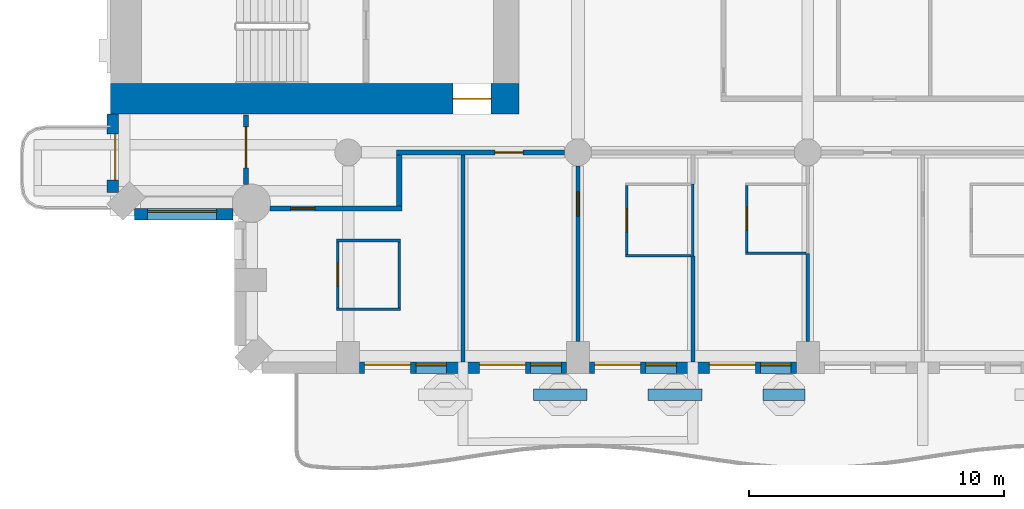
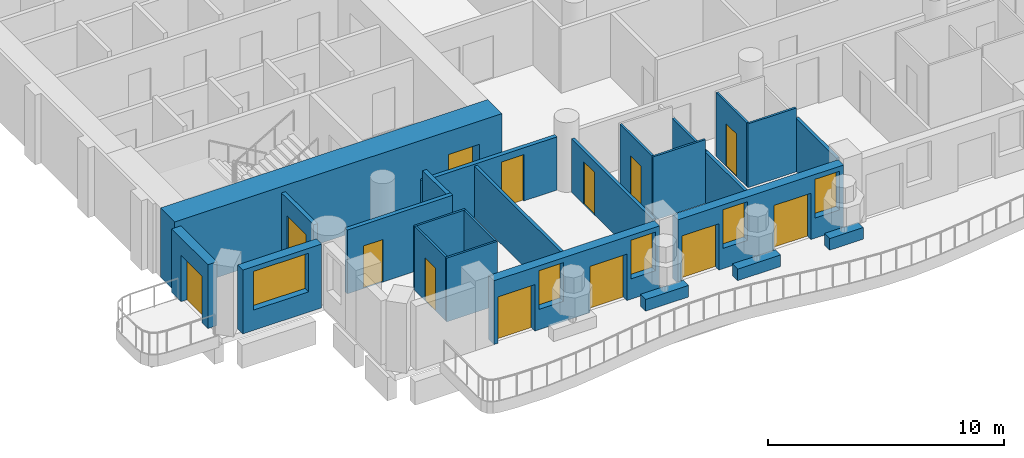
# One storey, part 3 of 20: 25 walls, 13 doors, 5 windows, 18 openings.
"""IFC4 building model written with IfcOpenShell, lengths in metres."""

from ifc_helpers import new_model, si_unit, direction, frame, frame_2d, origin, place, context, subcontext, project, spatial, rectangle, extrude, material, layer, layer_set, type_object, element, fill, save


model = new_model("IFC4")

# Units and contexts
model_context = context("Model", 3, precision=1e-05, world=origin(), true_north=direction((0.0, 1.0)))
body_context = subcontext(model_context, "Body", "Model", "MODEL_VIEW")
ifc_project = project(units=[si_unit("LENGTHUNIT", "METRE"), si_unit("AREAUNIT", "SQUARE_METRE"), si_unit("VOLUMEUNIT", "CUBIC_METRE"), si_unit("PLANEANGLEUNIT", "RADIAN"), si_unit("MASSUNIT", "GRAM", prefix="KILO")], contexts=[model_context])

# Site, building, storey
site_placement = place(None, origin())
site = spatial("IfcSite", under=ifc_project, at=site_placement, CompositionType="ELEMENT")
building_placement = place(site_placement, origin())
building = spatial("IfcBuilding", under=site, at=building_placement, Name="Cypress Arch Tower", CompositionType="ELEMENT")
storey_placement = place(building_placement, frame((0.0, 0.0, 116.699951171875)))
storey = spatial("IfcBuildingStorey", under=building, at=storey_placement, Name="L24", CompositionType="ELEMENT", Elevation=116.699951171875)

# Walls
ifc_material_1 = material(Name="Concrete C40/50, waterproofed", Category="concrete")
ifc_layer_1 = layer(ifc_material_1, 0.449951171875)
ifc_layer_set_1 = layer_set([ifc_layer_1], Name="Balcony planter wall PW450")
wall_type_1 = type_object("IfcWallType", Name="Balcony planter wall PW450", PredefinedType="SOLIDWALL", material=ifc_layer_set_1)
for number, where, z_axis, x_axis, name in (
    (1, (-13.449951171875, -27.0, 0.0), (0.0, 0.0, 1.0), (1.0, 0.0, 0.0), "Balcony planter wall L24-A03.2"),
    (2, (-8.949951171875, -27.0, 0.0), (0.0, 0.0, 1.0), (1.0, 0.0, 0.0), "Balcony planter wall L24-A03.3"),
):
    element("IfcWall", number, at=place(storey_placement, frame(where, z_axis=z_axis, x_axis=x_axis)), inside=storey, type_object=wall_type_1, Name=name, PredefinedType="SOLIDWALL", context=body_context, shape_type="SweptSolid", body=[
        extrude(rectangle(XDim=2.099853515625, YDim=0.449951171875, at=frame_2d((1.0498046875, 0.0))), origin(), (0.0, 0.0, 1.0), 0.60009765625),
    ])
wall_1_placement = place(storey_placement, frame((-4.449951171875, -27.0, 0.0), z_axis=(0.0, 0.0, 1.0), x_axis=(1.0, 0.0, 0.0)))
element("IfcWall", 3, at=wall_1_placement, inside=storey, type_object=wall_type_1, Name="Balcony planter wall L24-A03.4", PredefinedType="SOLIDWALL", context=body_context, shape_type="SweptSolid", body=[
    extrude(rectangle(XDim=1.64990234375, YDim=0.449951171875, at=frame_2d((0.824951171875, 0.0))), origin(), (0.0, 0.0, 1.0), 0.60009765625),
])

# Wall, opening, door
ifc_material_2 = material(Name="Brick (red buff blend)", Category="masonry")
ifc_layer_2 = layer(ifc_material_2, 0.449951171875)
ifc_layer_set_2 = layer_set([ifc_layer_2], Name="Brick pier and spandrel wall BW450")
wall_type_2 = type_object("IfcWallType", Name="Brick pier and spandrel wall BW450", PredefinedType="SOLIDWALL", material=ifc_layer_set_2)
wall_2_placement = place(storey_placement, frame((-29.925048828125, -16.0, 0.0), z_axis=(0.0, 0.0, 1.0), x_axis=(0.0, -1.0, 0.0)))
wall_2 = element("IfcWall", 4, at=wall_2_placement, inside=storey, type_object=wall_type_2, Name="Brick wall L24 A00.0.1", PredefinedType="SOLIDWALL", context=body_context, shape_type="SweptSolid", body=[
    extrude(rectangle(XDim=3.063720703125, YDim=0.449951171875, at=frame_2d((1.53173828125, 0.0))), origin(), (0.0, 0.0, 1.0), 3.300048828125),
])
opening_1_placement = place(wall_2_placement, frame((0.78173828125, 0.0, 0.0)))
opening_1 = element("IfcOpeningElement", 5, at=opening_1_placement, cuts=wall_2, Name="Opening D-L24-A00.0.1.9", PredefinedType="OPENING", context=body_context, shape_type="SweptSolid", body=[
    extrude(rectangle(XDim=1.800048828125, YDim=2.39990234375, at=frame_2d((0.89990234375, 1.199951171875))), frame((0.0, 0.23486328125, 0.0), z_axis=(0.0, -1.0, 0.0), x_axis=(1.0, 0.0, 0.0)), (0.0, 0.0, 1.0), 0.469970703125),
])
ifc_material_3 = material(Name="Anodised aluminium, bronze finish, laminated low-emissivity double glazing, large-missile impact rated", Category="aluminium")
door_type_1 = type_object("IfcDoorType", Name="Balcony sliding door 1800x2400", OperationType="SLIDING_TO_LEFT", PredefinedType="DOOR", material=ifc_material_3)
door_1_placement = place(opening_1_placement, origin())
door_1 = element("IfcDoor", 6, at=door_1_placement, inside=storey, type_object=door_type_1, Name="Balcony door L24 A00.0.1.9", OperationType="SLIDING_TO_LEFT", OverallHeight=2.39990234375, OverallWidth=1.800048828125, PredefinedType="DOOR", context=body_context, shape_type="SweptSolid", body=[
    extrude(rectangle(XDim=1.800048828125, YDim=2.39990234375, at=frame_2d((0.89990234375, 1.199951171875))), frame((0.0, 0.1298828125, 0.0), z_axis=(0.0, -1.0, 0.0), x_axis=(1.0, 0.0, 0.0)), (0.0, 0.0, 1.0), 0.050048828125),
])
fill(opening_1, door_1)

# Wall, opening, window
wall_3_placement = place(storey_placement, frame((-29.063720703125, -19.925048828125, 0.0), z_axis=(0.0, 0.0, 1.0), x_axis=(1.0, 0.0, 0.0)))
wall_3 = element("IfcWall", 7, at=wall_3_placement, inside=storey, type_object=wall_type_2, Name="Brick wall L24 A01.0", PredefinedType="SOLIDWALL", context=body_context, shape_type="SweptSolid", body=[
    extrude(rectangle(XDim=3.856689453125, YDim=0.449951171875, at=frame_2d((1.92822265625, 0.0))), origin(), (0.0, 0.0, 1.0), 3.300048828125),
])
opening_2_placement = place(wall_3_placement, frame((0.513671875, 0.0, 1.050048828125)))
opening_2 = element("IfcOpeningElement", 8, at=opening_2_placement, cuts=wall_3, Name="Opening W270H", PredefinedType="OPENING", context=body_context, shape_type="SweptSolid", body=[
    extrude(rectangle(XDim=2.699951171875, YDim=2.0, at=frame_2d((1.35009765625, 1.0))), frame((0.0, 0.23486328125, 0.0), z_axis=(0.0, -1.0, 0.0), x_axis=(1.0, 0.0, 0.0)), (0.0, 0.0, 1.0), 0.469970703125),
])
ifc_material_4 = material(Name="Anodised aluminium, bronze finish, clear low-emissivity double glazing", Category="aluminium")
window_type_1 = type_object("IfcWindowType", Name="Window Hotel 2700x2000", PartitioningType="SINGLE_PANEL", PredefinedType="WINDOW", material=ifc_material_4)
window_1_placement = place(opening_2_placement, origin())
window_1 = element("IfcWindow", 9, at=window_1_placement, inside=storey, type_object=window_type_1, Name="Window L24 A01.0.1", OverallHeight=2.0, OverallWidth=2.699951171875, PartitioningType="SINGLE_PANEL", PredefinedType="WINDOW", context=body_context, shape_type="SweptSolid", body=[
    extrude(rectangle(XDim=2.699951171875, YDim=2.0, at=frame_2d((1.35009765625, 1.0))), frame((0.0, 0.135009765625, 0.0), z_axis=(0.0, -1.0, 0.0), x_axis=(1.0, 0.0, 0.0)), (0.0, 0.0, 1.0), 0.06005859375),
])
fill(opening_2, window_1)

# Wall, openings, doors, windows
wall_4_placement = place(storey_placement, frame((-20.25, -25.925048828125, 0.0), z_axis=(0.0, 0.0, 1.0), x_axis=(1.0, 0.0, 0.0)))
wall_4 = element("IfcWall", 10, at=wall_4_placement, inside=storey, type_object=wall_type_2, Name="Brick wall L24 A03.1", PredefinedType="SOLIDWALL", context=body_context, shape_type="SweptSolid", body=[
    extrude(rectangle(XDim=8.10009765625, YDim=0.449951171875, at=frame_2d((4.050048828125, 0.0))), origin(), (0.0, 0.0, 1.0), 3.300048828125),
])
opening_3_placement = place(wall_4_placement, frame((0.199951171875, 0.0, 0.0)))
opening_3 = element("IfcOpeningElement", 11, at=opening_3_placement, cuts=wall_4, Name="Opening D-L24-A03.1.1", PredefinedType="OPENING", context=body_context, shape_type="SweptSolid", body=[
    extrude(rectangle(XDim=1.800048828125, YDim=2.39990234375, at=frame_2d((0.89990234375, 1.199951171875))), frame((0.0, 0.23486328125, 0.0), z_axis=(0.0, -1.0, 0.0), x_axis=(1.0, 0.0, 0.0)), (0.0, 0.0, 1.0), 0.469970703125),
])
opening_4_placement = place(wall_4_placement, frame((2.199951171875, 0.0, 1.050048828125)))
opening_4 = element("IfcOpeningElement", 12, at=opening_4_placement, cuts=wall_4, Name="Opening W120HD", PredefinedType="OPENING", context=body_context, shape_type="SweptSolid", body=[
    extrude(rectangle(XDim=1.199951171875, YDim=2.0, at=frame_2d((0.60009765625, 1.0))), frame((0.0, 0.23486328125, 0.0), z_axis=(0.0, -1.0, 0.0), x_axis=(1.0, 0.0, 0.0)), (0.0, 0.0, 1.0), 0.469970703125),
])
opening_5_placement = place(wall_4_placement, frame((4.699951171875, 0.0, 0.0)))
opening_5 = element("IfcOpeningElement", 13, at=opening_5_placement, cuts=wall_4, Name="Opening D-L24-A03.1.2", PredefinedType="OPENING", context=body_context, shape_type="SweptSolid", body=[
    extrude(rectangle(XDim=1.800048828125, YDim=2.39990234375, at=frame_2d((0.89990234375, 1.199951171875))), frame((0.0, 0.23486328125, 0.0), z_axis=(0.0, -1.0, 0.0), x_axis=(1.0, 0.0, 0.0)), (0.0, 0.0, 1.0), 0.469970703125),
])
opening_6_placement = place(wall_4_placement, frame((6.699951171875, 0.0, 1.050048828125)))
opening_6 = element("IfcOpeningElement", 14, at=opening_6_placement, cuts=wall_4, Name="Opening W120HD", PredefinedType="OPENING", context=body_context, shape_type="SweptSolid", body=[
    extrude(rectangle(XDim=1.199951171875, YDim=2.0, at=frame_2d((0.60009765625, 1.0))), frame((0.0, 0.23486328125, 0.0), z_axis=(0.0, -1.0, 0.0), x_axis=(1.0, 0.0, 0.0)), (0.0, 0.0, 1.0), 0.469970703125),
])
door_2_placement = place(opening_3_placement, origin())
door_2 = element("IfcDoor", 15, at=door_2_placement, inside=storey, type_object=door_type_1, Name="Balcony door L24 A03.1.1", OperationType="SLIDING_TO_LEFT", OverallHeight=2.39990234375, OverallWidth=1.800048828125, PredefinedType="DOOR", context=body_context, shape_type="SweptSolid", body=[
    extrude(rectangle(XDim=1.800048828125, YDim=2.39990234375, at=frame_2d((0.89990234375, 1.199951171875))), frame((0.0, 0.1298828125, 0.0), z_axis=(0.0, -1.0, 0.0), x_axis=(1.0, 0.0, 0.0)), (0.0, 0.0, 1.0), 0.050048828125),
])
fill(opening_3, door_2)
door_3_placement = place(opening_5_placement, origin())
door_3 = element("IfcDoor", 16, at=door_3_placement, inside=storey, type_object=door_type_1, Name="Balcony door L24 A03.1.2", OperationType="SLIDING_TO_LEFT", OverallHeight=2.39990234375, OverallWidth=1.800048828125, PredefinedType="DOOR", context=body_context, shape_type="SweptSolid", body=[
    extrude(rectangle(XDim=1.800048828125, YDim=2.39990234375, at=frame_2d((0.89990234375, 1.199951171875))), frame((0.0, 0.1298828125, 0.0), z_axis=(0.0, -1.0, 0.0), x_axis=(1.0, 0.0, 0.0)), (0.0, 0.0, 1.0), 0.050048828125),
])
fill(opening_5, door_3)
ifc_material_5 = material(Name="Anodised aluminium, bronze finish, laminated low-emissivity double glazing, large-missile impact rated", Category="aluminium")
window_type_2 = type_object("IfcWindowType", Name="Window Hotel 1200x2000 debris-rated", PartitioningType="SINGLE_PANEL", PredefinedType="WINDOW", material=ifc_material_5)
window_2_placement = place(opening_4_placement, origin())
window_2 = element("IfcWindow", 17, at=window_2_placement, inside=storey, type_object=window_type_2, Name="Window L24 A03.1.1", OverallHeight=2.0, OverallWidth=1.199951171875, PartitioningType="SINGLE_PANEL", PredefinedType="WINDOW", context=body_context, shape_type="SweptSolid", body=[
    extrude(rectangle(XDim=1.199951171875, YDim=2.0, at=frame_2d((0.60009765625, 1.0))), frame((0.0, 0.135009765625, 0.0), z_axis=(0.0, -1.0, 0.0), x_axis=(1.0, 0.0, 0.0)), (0.0, 0.0, 1.0), 0.06005859375),
])
fill(opening_4, window_2)
window_3_placement = place(opening_6_placement, origin())
window_3 = element("IfcWindow", 18, at=window_3_placement, inside=storey, type_object=window_type_2, Name="Window L24 A03.1.2", OverallHeight=2.0, OverallWidth=1.199951171875, PartitioningType="SINGLE_PANEL", PredefinedType="WINDOW", context=body_context, shape_type="SweptSolid", body=[
    extrude(rectangle(XDim=1.199951171875, YDim=2.0, at=frame_2d((0.60009765625, 1.0))), frame((0.0, 0.135009765625, 0.0), z_axis=(0.0, -1.0, 0.0), x_axis=(1.0, 0.0, 0.0)), (0.0, 0.0, 1.0), 0.06005859375),
])
fill(opening_6, window_3)

wall_5_placement = place(storey_placement, frame((-11.25, -25.925048828125, 0.0), z_axis=(0.0, 0.0, 1.0), x_axis=(1.0, 0.0, 0.0)))
wall_5 = element("IfcWall", 19, at=wall_5_placement, inside=storey, type_object=wall_type_2, Name="Brick wall L24 A03.2", PredefinedType="SOLIDWALL", context=body_context, shape_type="SweptSolid", body=[
    extrude(rectangle(XDim=8.10009765625, YDim=0.449951171875, at=frame_2d((4.050048828125, 0.0))), origin(), (0.0, 0.0, 1.0), 3.300048828125),
])
opening_7_placement = place(wall_5_placement, frame((0.199951171875, 0.0, 0.0)))
opening_7 = element("IfcOpeningElement", 20, at=opening_7_placement, cuts=wall_5, Name="Opening D-L24-A03.2.1", PredefinedType="OPENING", context=body_context, shape_type="SweptSolid", body=[
    extrude(rectangle(XDim=1.800048828125, YDim=2.39990234375, at=frame_2d((0.89990234375, 1.199951171875))), frame((0.0, 0.23486328125, 0.0), z_axis=(0.0, -1.0, 0.0), x_axis=(1.0, 0.0, 0.0)), (0.0, 0.0, 1.0), 0.469970703125),
])
opening_8_placement = place(wall_5_placement, frame((2.199951171875, 0.0, 1.050048828125)))
opening_8 = element("IfcOpeningElement", 21, at=opening_8_placement, cuts=wall_5, Name="Opening W120HD", PredefinedType="OPENING", context=body_context, shape_type="SweptSolid", body=[
    extrude(rectangle(XDim=1.199951171875, YDim=2.0, at=frame_2d((0.60009765625, 1.0))), frame((0.0, 0.23486328125, 0.0), z_axis=(0.0, -1.0, 0.0), x_axis=(1.0, 0.0, 0.0)), (0.0, 0.0, 1.0), 0.469970703125),
])
opening_9_placement = place(wall_5_placement, frame((4.699951171875, 0.0, 0.0)))
opening_9 = element("IfcOpeningElement", 22, at=opening_9_placement, cuts=wall_5, Name="Opening D-L24-A03.2.2", PredefinedType="OPENING", context=body_context, shape_type="SweptSolid", body=[
    extrude(rectangle(XDim=1.800048828125, YDim=2.39990234375, at=frame_2d((0.89990234375, 1.199951171875))), frame((0.0, 0.23486328125, 0.0), z_axis=(0.0, -1.0, 0.0), x_axis=(1.0, 0.0, 0.0)), (0.0, 0.0, 1.0), 0.469970703125),
])
opening_10_placement = place(wall_5_placement, frame((6.699951171875, 0.0, 1.050048828125)))
opening_10 = element("IfcOpeningElement", 23, at=opening_10_placement, cuts=wall_5, Name="Opening W120HD", PredefinedType="OPENING", context=body_context, shape_type="SweptSolid", body=[
    extrude(rectangle(XDim=1.199951171875, YDim=2.0, at=frame_2d((0.60009765625, 1.0))), frame((0.0, 0.23486328125, 0.0), z_axis=(0.0, -1.0, 0.0), x_axis=(1.0, 0.0, 0.0)), (0.0, 0.0, 1.0), 0.469970703125),
])
door_4_placement = place(opening_7_placement, origin())
door_4 = element("IfcDoor", 24, at=door_4_placement, inside=storey, type_object=door_type_1, Name="Balcony door L24 A03.2.1", OperationType="SLIDING_TO_LEFT", OverallHeight=2.39990234375, OverallWidth=1.800048828125, PredefinedType="DOOR", context=body_context, shape_type="SweptSolid", body=[
    extrude(rectangle(XDim=1.800048828125, YDim=2.39990234375, at=frame_2d((0.89990234375, 1.199951171875))), frame((0.0, 0.1298828125, 0.0), z_axis=(0.0, -1.0, 0.0), x_axis=(1.0, 0.0, 0.0)), (0.0, 0.0, 1.0), 0.050048828125),
])
fill(opening_7, door_4)
door_5_placement = place(opening_9_placement, origin())
door_5 = element("IfcDoor", 25, at=door_5_placement, inside=storey, type_object=door_type_1, Name="Balcony door L24 A03.2.2", OperationType="SLIDING_TO_LEFT", OverallHeight=2.39990234375, OverallWidth=1.800048828125, PredefinedType="DOOR", context=body_context, shape_type="SweptSolid", body=[
    extrude(rectangle(XDim=1.800048828125, YDim=2.39990234375, at=frame_2d((0.89990234375, 1.199951171875))), frame((0.0, 0.1298828125, 0.0), z_axis=(0.0, -1.0, 0.0), x_axis=(1.0, 0.0, 0.0)), (0.0, 0.0, 1.0), 0.050048828125),
])
fill(opening_9, door_5)
window_4_placement = place(opening_8_placement, origin())
window_4 = element("IfcWindow", 26, at=window_4_placement, inside=storey, type_object=window_type_2, Name="Window L24 A03.2.1", OverallHeight=2.0, OverallWidth=1.199951171875, PartitioningType="SINGLE_PANEL", PredefinedType="WINDOW", context=body_context, shape_type="SweptSolid", body=[
    extrude(rectangle(XDim=1.199951171875, YDim=2.0, at=frame_2d((0.60009765625, 1.0))), frame((0.0, 0.135009765625, 0.0), z_axis=(0.0, -1.0, 0.0), x_axis=(1.0, 0.0, 0.0)), (0.0, 0.0, 1.0), 0.06005859375),
])
fill(opening_8, window_4)
window_5_placement = place(opening_10_placement, origin())
window_5 = element("IfcWindow", 27, at=window_5_placement, inside=storey, type_object=window_type_2, Name="Window L24 A03.2.2", OverallHeight=2.0, OverallWidth=1.199951171875, PartitioningType="SINGLE_PANEL", PredefinedType="WINDOW", context=body_context, shape_type="SweptSolid", body=[
    extrude(rectangle(XDim=1.199951171875, YDim=2.0, at=frame_2d((0.60009765625, 1.0))), frame((0.0, 0.135009765625, 0.0), z_axis=(0.0, -1.0, 0.0), x_axis=(1.0, 0.0, 0.0)), (0.0, 0.0, 1.0), 0.06005859375),
])
fill(opening_10, window_5)

# Wall, opening, door
ifc_material_6 = material(Name="Concrete C80/95", Category="concrete")
ifc_layer_3 = layer(ifc_material_6, 1.199951171875)
ifc_layer_set_3 = layer_set([ifc_layer_3], Name="Core wall CW1200 C80/95")
wall_type_3 = type_object("IfcWallType", Name="Core wall CW1200 C80/95", PredefinedType="SHEAR", material=ifc_layer_set_3)
wall_6_placement = place(storey_placement, frame((-30.0, -15.39990234375, 0.0), z_axis=(0.0, 0.0, 1.0), x_axis=(1.0, 0.0, 0.0)))
wall_6 = element("IfcWall", 28, at=wall_6_placement, inside=storey, type_object=wall_type_3, Name="Core wall", PredefinedType="SHEAR", context=body_context, shape_type="SweptSolid", body=[
    extrude(rectangle(XDim=16.0, YDim=1.199951171875, at=frame_2d((8.0, 0.0))), origin(), (0.0, 0.0, 1.0), 3.60009765625),
])
opening_11_placement = place(wall_6_placement, frame((13.39990234375, 0.0, 0.0)))
opening_11 = element("IfcOpeningElement", 29, at=opening_11_placement, cuts=wall_6, Name="Opening D07", PredefinedType="OPENING", context=body_context, shape_type="SweptSolid", body=[
    extrude(rectangle(XDim=1.5, YDim=2.39990234375, at=frame_2d((0.75, 1.199951171875))), frame((0.0, 0.60986328125, 0.0), z_axis=(0.0, -1.0, 0.0), x_axis=(1.0, 0.0, 0.0)), (0.0, 0.0, 1.0), 1.219970703125),
])
ifc_material_7 = material(Name="Steel framed glazed door, fire resisting", Category="steel")
door_type_2 = type_object("IfcDoorType", Name="Lobby door D07 1500x2400", OperationType="DOUBLE_DOOR_SINGLE_SWING", PredefinedType="DOOR", material=ifc_material_7)
door_6_placement = place(opening_11_placement, origin())
door_6 = element("IfcDoor", 30, at=door_6_placement, inside=storey, type_object=door_type_2, Name="Lobby door", OperationType="DOUBLE_DOOR_SINGLE_SWING", OverallHeight=2.39990234375, OverallWidth=1.5, PredefinedType="DOOR", context=body_context, shape_type="SweptSolid", body=[
    extrude(rectangle(XDim=1.5, YDim=2.39990234375, at=frame_2d((0.75, 1.199951171875))), frame((0.0, 0.02490234375, 0.0), z_axis=(0.0, -1.0, 0.0), x_axis=(1.0, 0.0, 0.0)), (0.0, 0.0, 1.0), 0.050048828125),
])
fill(opening_11, door_6)

ifc_material_8 = material(Name="Concrete blockwork, plastered, rated", Category="masonry")
ifc_layer_4 = layer(ifc_material_8, 0.199951171875)
ifc_layer_set_4 = layer_set([ifc_layer_4], Name="Corridor wall FW200")
wall_type_4 = type_object("IfcWallType", Name="Corridor wall FW200", PredefinedType="PARTITIONING", material=ifc_layer_set_4)
wall_7_placement = place(storey_placement, frame((-24.699951171875, -18.752197265625, 0.0), z_axis=(0.0, 0.0, 1.0), x_axis=(0.0, 1.0, 0.0)))
wall_7 = element("IfcWall", 31, at=wall_7_placement, inside=storey, type_object=wall_type_4, Name="Corridor wall", PredefinedType="PARTITIONING", context=body_context, shape_type="SweptSolid", body=[
    extrude(rectangle(XDim=2.72216796875, YDim=0.199951171875, at=frame_2d((1.361083984375, 0.0))), origin(), (0.0, 0.0, 1.0), 3.300048828125),
])
opening_12_placement = place(wall_7_placement, frame((0.64990234375, 0.0, 0.0)))
opening_12 = element("IfcOpeningElement", 32, at=opening_12_placement, cuts=wall_7, Name="Opening D10", PredefinedType="OPENING", context=body_context, shape_type="SweptSolid", body=[
    extrude(rectangle(XDim=1.60009765625, YDim=2.39990234375, at=frame_2d((0.800048828125, 1.199951171875))), frame((0.0, 0.10986328125, 0.0), z_axis=(0.0, -1.0, 0.0), x_axis=(1.0, 0.0, 0.0)), (0.0, 0.0, 1.0), 0.219970703125),
])
ifc_material_9 = material(Name="Black aluminium glazed door", Category="aluminium")
door_type_3 = type_object("IfcDoorType", Name="Amenity door D10 1600x2400", OperationType="DOUBLE_DOOR_SINGLE_SWING", PredefinedType="DOOR", material=ifc_material_9)
door_7_placement = place(opening_12_placement, origin())
door_7 = element("IfcDoor", 33, at=door_7_placement, inside=storey, type_object=door_type_3, Name="Amenity door", OperationType="DOUBLE_DOOR_SINGLE_SWING", OverallHeight=2.39990234375, OverallWidth=1.60009765625, PredefinedType="DOOR", context=body_context, shape_type="SweptSolid", body=[
    extrude(rectangle(XDim=1.60009765625, YDim=2.39990234375, at=frame_2d((0.800048828125, 1.199951171875))), frame((0.0, 0.02490234375, 0.0), z_axis=(0.0, -1.0, 0.0), x_axis=(1.0, 0.0, 0.0)), (0.0, 0.0, 1.0), 0.050048828125),
])
fill(opening_12, door_7)

wall_8_placement = place(storey_placement, frame((-23.752197265625, -19.699951171875, 0.0), z_axis=(0.0, 0.0, 1.0), x_axis=(1.0, 0.0, 0.0)))
wall_8 = element("IfcWall", 34, at=wall_8_placement, inside=storey, type_object=wall_type_4, Name="Corridor wall", PredefinedType="PARTITIONING", context=body_context, shape_type="SweptSolid", body=[
    extrude(rectangle(XDim=5.152099609375, YDim=0.199951171875, at=frame_2d((2.576171875, 0.0))), origin(), (0.0, 0.0, 1.0), 3.300048828125),
])
opening_13_placement = place(wall_8_placement, frame((0.800048828125, 0.0, 0.0)))
opening_13 = element("IfcOpeningElement", 35, at=opening_13_placement, cuts=wall_8, Name="Opening D02", PredefinedType="OPENING", context=body_context, shape_type="SweptSolid", body=[
    extrude(rectangle(XDim=0.949951171875, YDim=2.199951171875, at=frame_2d((0.47509765625, 1.10009765625))), frame((0.0, 0.10986328125, 0.0), z_axis=(0.0, -1.0, 0.0), x_axis=(1.0, 0.0, 0.0)), (0.0, 0.0, 1.0), 0.219970703125),
])
ifc_material_10 = material(Name="Timber flush door, fire resisting", Category="wood")
door_type_4 = type_object("IfcDoorType", Name="Room door D02 950x2200", OperationType="SINGLE_SWING_LEFT", PredefinedType="DOOR", material=ifc_material_10)
door_8_placement = place(opening_13_placement, origin())
door_8 = element("IfcDoor", 36, at=door_8_placement, inside=storey, type_object=door_type_4, Name="Room door", OperationType="SINGLE_SWING_RIGHT", OverallHeight=2.199951171875, OverallWidth=0.949951171875, PredefinedType="DOOR", context=body_context, shape_type="SweptSolid", body=[
    extrude(rectangle(XDim=0.949951171875, YDim=2.199951171875, at=frame_2d((0.47509765625, 1.10009765625))), frame((0.0, 0.02490234375, 0.0), z_axis=(0.0, -1.0, 0.0), x_axis=(1.0, 0.0, 0.0)), (0.0, 0.0, 1.0), 0.050048828125),
])
fill(opening_13, door_8)

# Wall
wall_9_placement = place(storey_placement, frame((-18.699951171875, -19.60009765625, 0.0), z_axis=(0.0, 0.0, 1.0), x_axis=(0.0, 1.0, 0.0)))
element("IfcWall", 37, at=wall_9_placement, inside=storey, type_object=wall_type_4, Name="Corridor wall", PredefinedType="PARTITIONING", context=body_context, shape_type="SweptSolid", body=[
    extrude(rectangle(XDim=2.0, YDim=0.199951171875, at=frame_2d((1.0, 0.0))), origin(), (0.0, 0.0, 1.0), 3.300048828125),
])

# Wall, opening, door
wall_10_placement = place(storey_placement, frame((-18.800048828125, -17.5, 0.0), z_axis=(0.0, 0.0, 1.0), x_axis=(1.0, 0.0, 0.0)))
wall_10 = element("IfcWall", 38, at=wall_10_placement, inside=storey, type_object=wall_type_4, Name="Corridor wall", PredefinedType="PARTITIONING", context=body_context, shape_type="SweptSolid", body=[
    extrude(rectangle(XDim=6.574951171875, YDim=0.199951171875, at=frame_2d((3.28759765625, 0.0))), origin(), (0.0, 0.0, 1.0), 2.75),
])
opening_14_placement = place(wall_10_placement, frame((3.85009765625, 0.0, 0.0)))
opening_14 = element("IfcOpeningElement", 39, at=opening_14_placement, cuts=wall_10, Name="Opening D01", PredefinedType="OPENING", context=body_context, shape_type="SweptSolid", body=[
    extrude(rectangle(XDim=1.10009765625, YDim=2.39990234375, at=frame_2d((0.550048828125, 1.199951171875))), frame((0.0, 0.10986328125, 0.0), z_axis=(0.0, -1.0, 0.0), x_axis=(1.0, 0.0, 0.0)), (0.0, 0.0, 1.0), 0.219970703125),
])
ifc_material_11 = material(Name="Timber flush door, fire resisting, self-closing", Category="wood")
door_type_5 = type_object("IfcDoorType", Name="Unit entrance door D01 1100x2400", OperationType="SINGLE_SWING_LEFT", PredefinedType="DOOR", material=ifc_material_11)
door_9_placement = place(opening_14_placement, origin())
door_9 = element("IfcDoor", 40, at=door_9_placement, inside=storey, type_object=door_type_5, Name="Unit entrance door", OperationType="SINGLE_SWING_RIGHT", OverallHeight=2.39990234375, OverallWidth=1.10009765625, PredefinedType="DOOR", context=body_context, shape_type="SweptSolid", body=[
    extrude(rectangle(XDim=1.10009765625, YDim=2.39990234375, at=frame_2d((0.550048828125, 1.199951171875))), frame((0.0, 0.02490234375, 0.0), z_axis=(0.0, -1.0, 0.0), x_axis=(1.0, 0.0, 0.0)), (0.0, 0.0, 1.0), 0.050048828125),
])
fill(opening_14, door_9)

# Wall
ifc_material_12 = material(Name="Blockwork, plastered both sides", Category="masonry")
ifc_layer_5 = layer(ifc_material_12, 0.14990234375)
ifc_layer_set_5 = layer_set([ifc_layer_5], Name="Partition PW150")
wall_type_5 = type_object("IfcWallType", Name="Partition PW150", PredefinedType="PARTITIONING", material=ifc_layer_set_5)
wall_11_placement = place(storey_placement, frame((-16.199951171875, -25.699951171875, 0.0), z_axis=(0.0, 0.0, 1.0), x_axis=(0.0, 1.0, 0.0)))
element("IfcWall", 41, at=wall_11_placement, inside=storey, type_object=wall_type_5, Name="Partition", PredefinedType="PARTITIONING", context=body_context, shape_type="SweptSolid", body=[
    extrude(rectangle(XDim=8.099853515625, YDim=0.14990234375, at=frame_2d((4.0498046875, 0.0))), origin(), (0.0, 0.0, 1.0), 2.650146484375),
])

# Wall, opening, door
wall_12_placement = place(storey_placement, frame((-11.699951171875, -24.89990234375, 0.0), z_axis=(0.0, 0.0, 1.0), x_axis=(0.0, 1.0, 0.0)))
wall_12 = element("IfcWall", 42, at=wall_12_placement, inside=storey, type_object=wall_type_5, Name="Partition", PredefinedType="PARTITIONING", context=body_context, shape_type="SweptSolid", body=[
    extrude(rectangle(XDim=6.875, YDim=0.14990234375, at=frame_2d((3.4375, 0.0))), origin(), (0.0, 0.0, 1.0), 2.75),
])
opening_15_placement = place(wall_12_placement, frame((4.89990234375, 0.0, 0.0)))
opening_15 = element("IfcOpeningElement", 43, at=opening_15_placement, cuts=wall_12, Name="Opening D12", PredefinedType="OPENING", context=body_context, shape_type="SweptSolid", body=[
    extrude(rectangle(XDim=0.949951171875, YDim=2.199951171875, at=frame_2d((0.47509765625, 1.10009765625))), frame((0.0, 0.0849609375, 0.0), z_axis=(0.0, -1.0, 0.0), x_axis=(1.0, 0.0, 0.0)), (0.0, 0.0, 1.0), 0.169921875),
])
ifc_material_13 = material(Name="Timber flush door", Category="wood")
door_type_6 = type_object("IfcDoorType", Name="Room door D12 950x2200", OperationType="SINGLE_SWING_LEFT", PredefinedType="DOOR", material=ifc_material_13)
door_10_placement = place(opening_15_placement, origin())
door_10 = element("IfcDoor", 44, at=door_10_placement, inside=storey, type_object=door_type_6, Name="Room door", OperationType="SINGLE_SWING_RIGHT", OverallHeight=2.199951171875, OverallWidth=0.949951171875, PredefinedType="DOOR", context=body_context, shape_type="SweptSolid", body=[
    extrude(rectangle(XDim=0.949951171875, YDim=2.199951171875, at=frame_2d((0.47509765625, 1.10009765625))), frame((0.0, 0.02490234375, 0.0), z_axis=(0.0, -1.0, 0.0), x_axis=(1.0, 0.0, 0.0)), (0.0, 0.0, 1.0), 0.050048828125),
])
fill(opening_15, door_10)

# Walls
wall_13_placement = place(storey_placement, frame((-7.199951171875, -25.699951171875, 0.0), z_axis=(0.0, 0.0, 1.0), x_axis=(0.0, 1.0, 0.0)))
element("IfcWall", 45, at=wall_13_placement, inside=storey, type_object=wall_type_5, Name="Partition", PredefinedType="PARTITIONING", context=body_context, shape_type="SweptSolid", body=[
    extrude(rectangle(XDim=4.14990234375, YDim=0.14990234375, at=frame_2d((2.074951171875, 0.0))), origin(), (0.0, 0.0, 1.0), 2.650146484375),
])
wall_14_placement = place(storey_placement, frame((-2.699951171875, -24.89990234375, 0.0), z_axis=(0.0, 0.0, 1.0), x_axis=(0.0, 1.0, 0.0)))
element("IfcWall", 46, at=wall_14_placement, inside=storey, type_object=wall_type_5, Name="Partition", PredefinedType="PARTITIONING", context=body_context, shape_type="SweptSolid", body=[
    extrude(rectangle(XDim=3.449951171875, YDim=0.14990234375, at=frame_2d((1.72509765625, 0.0))), origin(), (0.0, 0.0, 1.0), 2.75),
])

# Wall, opening, door
ifc_material_14 = material(Name="Moisture resistant board on steel studs, tiled", Category="steel")
ifc_layer_6 = layer(ifc_material_14, 0.10009765625)
ifc_layer_set_6 = layer_set([ifc_layer_6], Name="Wet wall PW100")
wall_type_6 = type_object("IfcWallType", Name="Wet wall PW100", PredefinedType="PARTITIONING", material=ifc_layer_set_6)
wall_15_placement = place(storey_placement, frame((-21.10009765625, -23.60009765625, 0.0), z_axis=(0.0, 0.0, 1.0), x_axis=(0.0, 1.0, 0.0)))
wall_15 = element("IfcWall", 47, at=wall_15_placement, inside=storey, type_object=wall_type_6, Name="Wet wall", PredefinedType="PARTITIONING", context=body_context, shape_type="SweptSolid", body=[
    extrude(rectangle(XDim=2.60009765625, YDim=0.10009765625, at=frame_2d((1.300048828125, 0.0))), origin(), (0.0, 0.0, 1.0), 3.300048828125),
])
opening_16_placement = place(wall_15_placement, frame((0.85009765625, 0.0, 0.0)))
opening_16 = element("IfcOpeningElement", 48, at=opening_16_placement, cuts=wall_15, Name="Opening D03", PredefinedType="OPENING", context=body_context, shape_type="SweptSolid", body=[
    extrude(rectangle(XDim=0.89990234375, YDim=2.199951171875, at=frame_2d((0.449951171875, 1.10009765625))), frame((0.0, 0.06005859375, 0.0), z_axis=(0.0, -1.0, 0.0), x_axis=(1.0, 0.0, 0.0)), (0.0, 0.0, 1.0), 0.1201171875),
])
ifc_material_15 = material(Name="Timber flush door, moisture resistant", Category="wood")
door_type_7 = type_object("IfcDoorType", Name="Bathroom door D03 900x2200", OperationType="SINGLE_SWING_LEFT", PredefinedType="DOOR", material=ifc_material_15)
door_11_placement = place(opening_16_placement, origin())
door_11 = element("IfcDoor", 49, at=door_11_placement, inside=storey, type_object=door_type_7, Name="Bathroom door", OperationType="SINGLE_SWING_LEFT", OverallHeight=2.199951171875, OverallWidth=0.89990234375, PredefinedType="DOOR", context=body_context, shape_type="SweptSolid", body=[
    extrude(rectangle(XDim=0.89990234375, YDim=2.199951171875, at=frame_2d((0.449951171875, 1.10009765625))), frame((0.0, 0.02490234375, 0.0), z_axis=(0.0, -1.0, 0.0), x_axis=(1.0, 0.0, 0.0)), (0.0, 0.0, 1.0), 0.050048828125),
])
fill(opening_16, door_11)

# Walls
for number, where, z_axis, x_axis, name in (
    (50, (-21.14990234375, -23.64990234375, 0.0), (0.0, 0.0, 1.0), (1.0, 0.0, 0.0), "Wet wall"),
    (51, (-21.14990234375, -20.949951171875, 0.0), (0.0, 0.0, 1.0), (1.0, 0.0, 0.0), "Wet wall"),
):
    element("IfcWall", number, at=place(storey_placement, frame(where, z_axis=z_axis, x_axis=x_axis)), inside=storey, type_object=wall_type_6, Name=name, PredefinedType="PARTITIONING", context=body_context, shape_type="SweptSolid", body=[
        extrude(rectangle(XDim=2.5, YDim=0.10009765625, at=frame_2d((1.25, 0.0))), origin(), (0.0, 0.0, 1.0), 3.300048828125),
    ])
wall_16_placement = place(storey_placement, frame((-18.699951171875, -23.60009765625, 0.0), z_axis=(0.0, 0.0, 1.0), x_axis=(0.0, 1.0, 0.0)))
element("IfcWall", 52, at=wall_16_placement, inside=storey, type_object=wall_type_6, Name="Wet wall", PredefinedType="PARTITIONING", context=body_context, shape_type="SweptSolid", body=[
    extrude(rectangle(XDim=2.60009765625, YDim=0.10009765625, at=frame_2d((1.300048828125, 0.0))), origin(), (0.0, 0.0, 1.0), 3.300048828125),
])

# Wall, opening, door
wall_17_placement = place(storey_placement, frame((-9.7958984375, -21.5, 0.0), z_axis=(0.0, 0.0, 1.0), x_axis=(0.0, 1.0, 0.0)))
wall_17 = element("IfcWall", 53, at=wall_17_placement, inside=storey, type_object=wall_type_6, Name="Wet wall", PredefinedType="PARTITIONING", context=body_context, shape_type="SweptSolid", body=[
    extrude(rectangle(XDim=2.699951171875, YDim=0.10009765625, at=frame_2d((1.35009765625, 0.0))), origin(), (0.0, 0.0, 1.0), 3.300048828125),
])
opening_17_placement = place(wall_17_placement, frame((0.89990234375, 0.0, 0.0)))
opening_17 = element("IfcOpeningElement", 54, at=opening_17_placement, cuts=wall_17, Name="Opening D03", PredefinedType="OPENING", context=body_context, shape_type="SweptSolid", body=[
    extrude(rectangle(XDim=0.89990234375, YDim=2.199951171875, at=frame_2d((0.449951171875, 1.10009765625))), frame((0.0, 0.06005859375, 0.0), z_axis=(0.0, -1.0, 0.0), x_axis=(1.0, 0.0, 0.0)), (0.0, 0.0, 1.0), 0.1201171875),
])
door_12_placement = place(opening_17_placement, origin())
door_12 = element("IfcDoor", 55, at=door_12_placement, inside=storey, type_object=door_type_7, Name="Bathroom door", OperationType="SINGLE_SWING_LEFT", OverallHeight=2.199951171875, OverallWidth=0.89990234375, PredefinedType="DOOR", context=body_context, shape_type="SweptSolid", body=[
    extrude(rectangle(XDim=0.89990234375, YDim=2.199951171875, at=frame_2d((0.449951171875, 1.10009765625))), frame((0.0, 0.02490234375, 0.0), z_axis=(0.0, -1.0, 0.0), x_axis=(1.0, 0.0, 0.0)), (0.0, 0.0, 1.0), 0.050048828125),
])
fill(opening_17, door_12)

# Walls
wall_18_placement = place(storey_placement, frame((-9.845947265625, -21.550048828125, 0.0), z_axis=(0.0, 0.0, 1.0), x_axis=(1.0, 0.0, 0.0)))
element("IfcWall", 56, at=wall_18_placement, inside=storey, type_object=wall_type_6, Name="Wet wall", PredefinedType="PARTITIONING", context=body_context, shape_type="SweptSolid", body=[
    extrude(rectangle(XDim=2.571044921875, YDim=0.10009765625, at=frame_2d((1.28564453125, 0.0))), origin(), (0.0, 0.0, 1.0), 3.300048828125),
])
wall_19_placement = place(storey_placement, frame((-7.199951171875, -21.550048828125, 0.0), z_axis=(0.0, 0.0, 1.0), x_axis=(0.0, 1.0, 0.0)))
element("IfcWall", 57, at=wall_19_placement, inside=storey, type_object=wall_type_6, Name="Wet wall", PredefinedType="PARTITIONING", context=body_context, shape_type="SweptSolid", body=[
    extrude(rectangle(XDim=2.820068359375, YDim=0.10009765625, at=frame_2d((1.41015625, 0.0))), origin(), (0.0, 0.0, 1.0), 2.650146484375),
])

# Wall, opening, door
wall_20_placement = place(storey_placement, frame((-5.095947265625, -21.39990234375, 0.0), z_axis=(0.0, 0.0, 1.0), x_axis=(0.0, 1.0, 0.0)))
wall_20 = element("IfcWall", 58, at=wall_20_placement, inside=storey, type_object=wall_type_6, Name="Wet wall", PredefinedType="PARTITIONING", context=body_context, shape_type="SweptSolid", body=[
    extrude(rectangle(XDim=2.599853515625, YDim=0.10009765625, at=frame_2d((1.2998046875, 0.0))), origin(), (0.0, 0.0, 1.0), 3.300048828125),
])
opening_18_placement = place(wall_20_placement, frame((0.85009765625, 0.0, 0.0)))
opening_18 = element("IfcOpeningElement", 59, at=opening_18_placement, cuts=wall_20, Name="Opening D03", PredefinedType="OPENING", context=body_context, shape_type="SweptSolid", body=[
    extrude(rectangle(XDim=0.89990234375, YDim=2.199951171875, at=frame_2d((0.449951171875, 1.10009765625))), frame((0.0, 0.06005859375, 0.0), z_axis=(0.0, -1.0, 0.0), x_axis=(1.0, 0.0, 0.0)), (0.0, 0.0, 1.0), 0.1201171875),
])
door_13_placement = place(opening_18_placement, origin())
door_13 = element("IfcDoor", 60, at=door_13_placement, inside=storey, type_object=door_type_7, Name="Bathroom door", OperationType="SINGLE_SWING_LEFT", OverallHeight=2.199951171875, OverallWidth=0.89990234375, PredefinedType="DOOR", context=body_context, shape_type="SweptSolid", body=[
    extrude(rectangle(XDim=0.89990234375, YDim=2.199951171875, at=frame_2d((0.449951171875, 1.10009765625))), frame((0.0, 0.02490234375, 0.0), z_axis=(0.0, -1.0, 0.0), x_axis=(1.0, 0.0, 0.0)), (0.0, 0.0, 1.0), 0.050048828125),
])
fill(opening_18, door_13)

# Wall
wall_21_placement = place(storey_placement, frame((-5.14599609375, -21.449951171875, 0.0), z_axis=(0.0, 0.0, 1.0), x_axis=(1.0, 0.0, 0.0)))
element("IfcWall", 61, at=wall_21_placement, inside=storey, type_object=wall_type_6, Name="Wet wall", PredefinedType="PARTITIONING", context=body_context, shape_type="SweptSolid", body=[
    extrude(rectangle(XDim=2.37109375, YDim=0.10009765625, at=frame_2d((1.185546875, 0.0))), origin(), (0.0, 0.0, 1.0), 3.300048828125),
])

save(model, "model.ifc")
